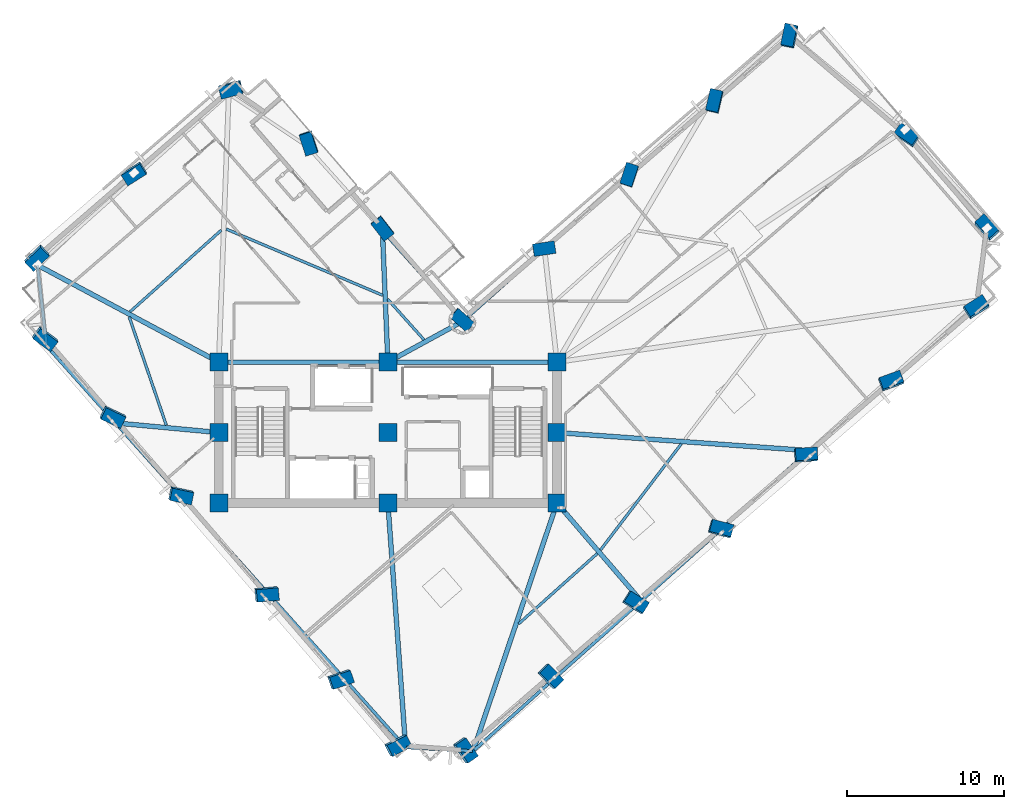
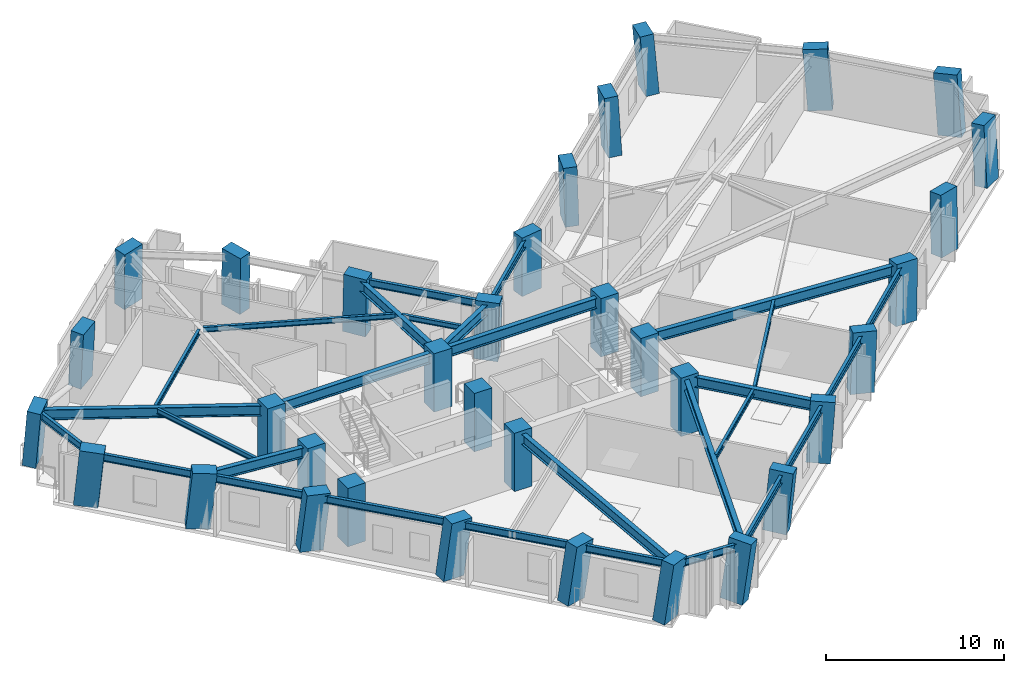
# One storey, part 1 of 14: 34 columns, 29 beams.
"""IFC4 building model written with IfcOpenShell, lengths in metres."""

from ifc_helpers import new_model, si_unit, direction, frame, origin, origin_2d, place, context, subcontext, project, spatial, rectangle, i_section, extrude, material, material_profile, profile_set, type_object, element, save


model = new_model("IFC4")

# Units and contexts
model_context = context("Model", 3, precision=1e-05, world=origin(), true_north=direction((0.0, 1.0)))
body_context = subcontext(model_context, "Body", "Model", "MODEL_VIEW")
ifc_project = project(units=[si_unit("LENGTHUNIT", "METRE"), si_unit("AREAUNIT", "SQUARE_METRE"), si_unit("VOLUMEUNIT", "CUBIC_METRE"), si_unit("PLANEANGLEUNIT", "RADIAN"), si_unit("MASSUNIT", "GRAM", prefix="KILO")], contexts=[model_context])

# Site, building, storey
site_placement = place(None, origin())
site = spatial("IfcSite", under=ifc_project, at=site_placement, CompositionType="ELEMENT")
building_placement = place(site_placement, origin())
building = spatial("IfcBuilding", under=site, at=building_placement, Name="Gaonmaruhae Medical Tower", CompositionType="ELEMENT")
storey_placement = place(building_placement, frame((0.0, 0.0, 197.800048828125)))
storey = spatial("IfcBuildingStorey", under=building, at=storey_placement, Name="L47", CompositionType="ELEMENT", Elevation=197.800048828125)

# Columns
ifc_material_1 = material(Name="Concrete C50/60", Category="concrete")
ifc_material_profile_1 = material_profile(ifc_material_1, rectangle(XDim=1.14990234375, YDim=1.14990234375, at=origin_2d()), Name="RC-1150x1150")
ifc_profile_set_1 = profile_set([ifc_material_profile_1], Name="Concrete C50/60")
column_type_1 = type_object("IfcColumnType", Name="CC-04 Zone 3 Core Column (RC-1150x1150)", PredefinedType="COLUMN", material=ifc_profile_set_1)
for number, where, z_axis, x_axis, name in (
    (1, (14.0, 7.800048828125, 0.0), (0.0, 0.0, 1.0), (1.0, 0.0, 0.0), "L47 Plumb Core Column CC11"),
    (2, (14.0, 12.300048828125, 0.0), (0.0, 0.0, 1.0), (1.0, 0.0, 0.0), "L47 Plumb Core Column CC12"),
    (3, (14.0, 16.800048828125, 0.0), (0.0, 0.0, 1.0), (1.0, 0.0, 0.0), "L47 Plumb Core Column CC13"),
    (4, (24.800048828125, 7.800048828125, 0.0), (0.0, 0.0, 1.0), (1.0, 0.0, 0.0), "L47 Plumb Core Column CC21"),
    (5, (24.800048828125, 12.300048828125, 0.0), (0.0, 0.0, 1.0), (1.0, 0.0, 0.0), "L47 Plumb Core Column CC22"),
    (6, (24.800048828125, 16.800048828125, 0.0), (0.0, 0.0, 1.0), (1.0, 0.0, 0.0), "L47 Plumb Core Column CC23"),
    (7, (35.60009765625, 7.800048828125, 0.0), (0.0, 0.0, 1.0), (1.0, 0.0, 0.0), "L47 Plumb Core Column CC31"),
    (8, (35.60009765625, 12.300048828125, 0.0), (0.0, 0.0, 1.0), (1.0, 0.0, 0.0), "L47 Plumb Core Column CC32"),
    (9, (35.60009765625, 16.800048828125, 0.0), (0.0, 0.0, 1.0), (1.0, 0.0, 0.0), "L47 Plumb Core Column CC33"),
):
    element("IfcColumn", number, at=place(storey_placement, frame(where, z_axis=z_axis, x_axis=x_axis)), inside=storey, type_object=column_type_1, Name=name, PredefinedType="COLUMN", context=body_context, shape_type="SweptSolid", body=[
        extrude(rectangle(XDim=1.14990234375, YDim=1.14990234375, at=origin_2d()), origin(), (0.0, 0.0, 1.0), 4.0),
    ])
ifc_material_2 = material(Name="Concrete C60/75", Category="concrete")
ifc_material_profile_2 = material_profile(ifc_material_2, rectangle(XDim=1.39990234375, YDim=0.800048828125, at=origin_2d()), Name="RC-1400x800")
ifc_profile_set_2 = profile_set([ifc_material_profile_2], Name="Concrete C60/75")
column_type_2 = type_object("IfcColumnType", Name="TC-02 Mid Raking Tube Pier Column (RC-1400x800)", PredefinedType="COLUMN", material=ifc_profile_set_2)
column_1_placement = place(storey_placement, frame((29.69677734375, -7.989990234375, 0.001708984375), z_axis=(0.134792886686, -0.014950086669, 0.990761006806), x_axis=(-0.560703526993, 0.823251350457, 0.088706080895)))
element("IfcColumn", 10, at=column_1_placement, inside=storey, type_object=column_type_2, Name="L47 Perimeter Tube Column S01", PredefinedType="COLUMN", context=body_context, shape_type="SweptSolid", body=[
    extrude(rectangle(XDim=1.39990234375, YDim=0.800048828125, at=origin_2d()), origin(), (0.0, 0.0, 1.0), 4.03369140625),
])
column_2_placement = place(storey_placement, frame((35.14306640625, -3.280517578125, 0.001708984375), z_axis=(0.115535389313, 0.007281642184, 0.993276674197), x_axis=(-0.695976274156, 0.714061336763, 0.075719437081)))
element("IfcColumn", 11, at=column_2_placement, inside=storey, type_object=column_type_2, Name="L47 Perimeter Tube Column S02", PredefinedType="COLUMN", context=body_context, shape_type="SweptSolid", body=[
    extrude(rectangle(XDim=1.39990234375, YDim=0.800048828125, at=origin_2d()), origin(), (0.0, 0.0, 1.0), 4.0234375),
])
column_3_placement = place(storey_placement, frame((40.589111328125, 1.4287109375, 0.001708984375), z_axis=(0.096155551008, 0.029661130779, 0.99492428221), x_axis=(-0.84481499357, 0.530994954895, 0.065817813051)))
element("IfcColumn", 12, at=column_3_placement, inside=storey, type_object=column_type_2, Name="L47 Perimeter Tube Column S03", PredefinedType="COLUMN", context=body_context, shape_type="SweptSolid", body=[
    extrude(rectangle(XDim=1.39990234375, YDim=0.800048828125, at=origin_2d()), origin(), (0.0, 0.0, 1.0), 4.016845703125),
])
column_4_placement = place(storey_placement, frame((46.035400390625, 6.13818359375, 0.001708984375), z_axis=(0.076583639666, 0.051947917613, 0.995708973542), x_axis=(-0.963601634945, 0.260400031482, 0.060528610881)))
element("IfcColumn", 13, at=column_4_placement, inside=storey, type_object=column_type_2, Name="L47 Perimeter Tube Column S04", PredefinedType="COLUMN", context=body_context, shape_type="SweptSolid", body=[
    extrude(rectangle(XDim=1.39990234375, YDim=0.800048828125, at=origin_2d()), origin(), (0.0, 0.0, 1.0), 4.013671875),
])
column_5_placement = place(storey_placement, frame((51.481689453125, 10.84765625, 0.001708984375), z_axis=(0.056990983007, 0.074264664089, 0.995608752233), x_axis=(-0.996545411149, -0.056108371123, 0.061229847357)))
element("IfcColumn", 14, at=column_5_placement, inside=storey, type_object=column_type_2, Name="L47 Perimeter Tube Column S05", PredefinedType="COLUMN", context=body_context, shape_type="SweptSolid", body=[
    extrude(rectangle(XDim=1.39990234375, YDim=0.800048828125, at=origin_2d()), origin(), (0.0, 0.0, 1.0), 4.013916015625),
])
column_6_placement = place(storey_placement, frame((56.927978515625, 15.55712890625, 0.001708984375), z_axis=(0.037308659292, 0.096492102534, 0.994634273535), x_axis=(-0.940140058416, -0.334002750608, 0.067667075804)))
element("IfcColumn", 15, at=column_6_placement, inside=storey, type_object=column_type_2, Name="L47 Perimeter Tube Column S06", PredefinedType="COLUMN", context=body_context, shape_type="SweptSolid", body=[
    extrude(rectangle(XDim=1.39990234375, YDim=0.800048828125, at=origin_2d()), origin(), (0.0, 0.0, 1.0), 4.017822265625),
])
column_7_placement = place(storey_placement, frame((62.3740234375, 20.2666015625, 0.001708984375), z_axis=(0.017710064667, 0.118511871091, 0.99279468674), x_axis=(-0.84409135877, -0.530440201598, 0.078377104935)))
element("IfcColumn", 16, at=column_7_placement, inside=storey, type_object=column_type_2, Name="L47 Perimeter Tube Column S07", PredefinedType="COLUMN", context=body_context, shape_type="SweptSolid", body=[
    extrude(rectangle(XDim=1.39990234375, YDim=0.800048828125, at=origin_2d()), origin(), (0.0, 0.0, 1.0), 4.025390625),
])
column_8_placement = place(storey_placement, frame((63.0625, 25.3564453125, 0.001708984375), z_axis=(-0.003335213178, 0.121219838947, 0.992620081904), x_axis=(0.67448420136, -0.73256874744, 0.091728361977)))
element("IfcColumn", 17, at=column_8_placement, inside=storey, type_object=column_type_2, Name="L47 Perimeter Tube Column E01", PredefinedType="COLUMN", context=body_context, shape_type="SweptSolid", body=[
    extrude(rectangle(XDim=1.39990234375, YDim=0.800048828125, at=origin_2d()), origin(), (0.0, 0.0, 1.0), 4.026123046875),
])
column_9_placement = place(storey_placement, frame((57.96044921875, 31.256591796875, 0.001708984375), z_axis=(-0.027403036111, 0.100194249551, 0.994590461431), x_axis=(0.829382951697, -0.553127674355, 0.078572866163)))
element("IfcColumn", 18, at=column_9_placement, inside=storey, type_object=column_type_2, Name="L47 Perimeter Tube Column E02", PredefinedType="COLUMN", context=body_context, shape_type="SweptSolid", body=[
    extrude(rectangle(XDim=1.39990234375, YDim=0.800048828125, at=origin_2d()), origin(), (0.0, 0.0, 1.0), 4.01806640625),
])
column_10_placement = place(storey_placement, frame((50.481201171875, 37.61279296875, 0.001708984375), z_axis=(-0.053432380102, 0.069255180588, 0.996167004432), x_axis=(-0.200878399634, -0.977944004107, 0.057213576993)))
element("IfcColumn", 19, at=column_10_placement, inside=storey, type_object=column_type_2, Name="L47 Perimeter Tube Column E03", PredefinedType="COLUMN", context=body_context, shape_type="SweptSolid", body=[
    extrude(rectangle(XDim=1.39990234375, YDim=0.800048828125, at=origin_2d()), origin(), (0.0, 0.0, 1.0), 4.01171875),
])
column_11_placement = place(storey_placement, frame((45.677978515625, 33.459228515625, 0.001708984375), z_axis=(-0.036219429915, 0.049695009059, 0.998107488686), x_axis=(-0.226770917877, -0.973117242433, 0.040221676789)))
element("IfcColumn", 20, at=column_11_placement, inside=storey, type_object=column_type_2, Name="L47 Perimeter Tube Column EN01", PredefinedType="COLUMN", context=body_context, shape_type="SweptSolid", body=[
    extrude(rectangle(XDim=1.39990234375, YDim=0.800048828125, at=origin_2d()), origin(), (0.0, 0.0, 1.0), 4.00390625),
])
column_12_placement = place(storey_placement, frame((40.231689453125, 28.75, 0.001708984375), z_axis=(-0.016547249216, 0.027293802213, 0.999490488651), x_axis=(-0.307912617541, -0.951185560654, 0.02087700081)))
element("IfcColumn", 21, at=column_12_placement, inside=storey, type_object=column_type_2, Name="L47 Perimeter Tube Column EN02", PredefinedType="COLUMN", context=body_context, shape_type="SweptSolid", body=[
    extrude(rectangle(XDim=1.39990234375, YDim=0.800048828125, at=origin_2d()), origin(), (0.0, 0.0, 1.0), 3.998291015625),
])
column_13_placement = place(storey_placement, frame((34.78564453125, 24.04052734375, 0.001708984375), z_axis=(0.003115592161, 0.004948293432, 0.999982903593), x_axis=(-0.988608351302, -0.150462285729, 0.003824697358)))
element("IfcColumn", 22, at=column_13_placement, inside=storey, type_object=column_type_2, Name="L47 Perimeter Tube Column EN03", PredefinedType="COLUMN", context=body_context, shape_type="SweptSolid", body=[
    extrude(rectangle(XDim=1.39990234375, YDim=0.800048828125, at=origin_2d()), origin(), (0.0, 0.0, 1.0), 3.996337890625),
])
column_14_placement = place(storey_placement, frame((29.528564453125, 19.49462890625, 0.001708984375), z_axis=(0.022106472195, -0.016732523153, 0.999615589392), x_axis=(-0.751277418033, 0.659407001277, 0.027652266093)))
element("IfcColumn", 23, at=column_14_placement, inside=storey, type_object=column_type_2, Name="L47 Perimeter Tube Column KN01", PredefinedType="COLUMN", context=body_context, shape_type="SweptSolid", body=[
    extrude(rectangle(XDim=1.39990234375, YDim=0.800048828125, at=origin_2d()), origin(), (0.0, 0.0, 1.0), 3.997802734375),
])
column_15_placement = place(storey_placement, frame((24.459228515625, 25.35693359375, 0.001708984375), z_axis=(-0.001953505753, -0.03791022102, 0.999279239731), x_axis=(-0.614315591928, 0.788537788742, 0.028714268915)))
element("IfcColumn", 24, at=column_15_placement, inside=storey, type_object=column_type_2, Name="L47 Perimeter Tube Column NE01", PredefinedType="COLUMN", context=body_context, shape_type="SweptSolid", body=[
    extrude(rectangle(XDim=1.39990234375, YDim=0.800048828125, at=origin_2d()), origin(), (0.0, 0.0, 1.0), 3.999267578125),
])
column_16_placement = place(storey_placement, frame((19.749755859375, 30.802978515625, 0.001708984375), z_axis=(-0.024327793483, -0.057496514422, 0.998049251938), x_axis=(-0.30819596819, 0.95015002601, 0.047224710319)))
element("IfcColumn", 25, at=column_16_placement, inside=storey, type_object=column_type_2, Name="L47 Perimeter Tube Column NE02", PredefinedType="COLUMN", context=body_context, shape_type="SweptSolid", body=[
    extrude(rectangle(XDim=1.39990234375, YDim=0.800048828125, at=origin_2d()), origin(), (0.0, 0.0, 1.0), 4.004150390625),
])
column_17_placement = place(storey_placement, frame((14.788818359375, 34.2470703125, 0.001708984375), z_axis=(-0.038341673554, -0.078022262692, 0.996214054605), x_axis=(0.96626592112, 0.251190925626, 0.056862013376)))
element("IfcColumn", 26, at=column_17_placement, inside=storey, type_object=column_type_2, Name="L47 Perimeter Tube Column N01", PredefinedType="COLUMN", context=body_context, shape_type="SweptSolid", body=[
    extrude(rectangle(XDim=1.39990234375, YDim=0.800048828125, at=origin_2d()), origin(), (0.0, 0.0, 1.0), 4.011474609375),
])
column_18_placement = place(storey_placement, frame((8.586181640625, 28.883544921875, 0.001708984375), z_axis=(-0.015978962471, -0.103286069202, 0.994523333395), x_axis=(0.846984642611, 0.527203728551, 0.068361127714)))
element("IfcColumn", 27, at=column_18_placement, inside=storey, type_object=column_type_2, Name="L47 Perimeter Tube Column N02", PredefinedType="COLUMN", context=body_context, shape_type="SweptSolid", body=[
    extrude(rectangle(XDim=1.39990234375, YDim=0.800048828125, at=origin_2d()), origin(), (0.0, 0.0, 1.0), 4.018310546875),
])
column_19_placement = place(storey_placement, frame((2.383544921875, 23.52001953125, 0.001708984375), z_axis=(0.00630082163, -0.128318655892, 0.991712973696), x_axis=(0.723701485394, 0.684977954357, 0.084031911103)))
element("IfcColumn", 28, at=column_19_placement, inside=storey, type_object=column_type_2, Name="L47 Perimeter Tube Column N03", PredefinedType="COLUMN", context=body_context, shape_type="SweptSolid", body=[
    extrude(rectangle(XDim=1.39990234375, YDim=0.800048828125, at=origin_2d()), origin(), (0.0, 0.0, 1.0), 4.02978515625),
])
column_20_placement = place(storey_placement, frame((2.894287109375, 18.343017578125, 0.001708984375), z_axis=(0.02756423889, -0.126007949211, 0.991646211847), x_axis=(-0.79926691183, 0.593003055871, 0.097569356778)))
element("IfcColumn", 29, at=column_20_placement, inside=storey, type_object=column_type_2, Name="L47 Perimeter Tube Column W01", PredefinedType="COLUMN", context=body_context, shape_type="SweptSolid", body=[
    extrude(rectangle(XDim=1.39990234375, YDim=0.800048828125, at=origin_2d()), origin(), (0.0, 0.0, 1.0), 4.030029296875),
])
column_21_placement = place(storey_placement, frame((7.211181640625, 13.3505859375, 0.001708984375), z_axis=(0.047983255613, -0.108220136553, 0.992968282084), x_axis=(-0.902387124564, 0.421519843898, 0.08954606983)))
element("IfcColumn", 30, at=column_21_placement, inside=storey, type_object=column_type_2, Name="L47 Perimeter Tube Column W02", PredefinedType="COLUMN", context=body_context, shape_type="SweptSolid", body=[
    extrude(rectangle(XDim=1.39990234375, YDim=0.800048828125, at=origin_2d()), origin(), (0.0, 0.0, 1.0), 4.024658203125),
])
column_22_placement = place(storey_placement, frame((11.560791015625, 8.3203125, 0.001708984375), z_axis=(0.06864872367, -0.090196289455, 0.993555223481), x_axis=(-0.975646001473, 0.201899790332, 0.085740040082)))
element("IfcColumn", 31, at=column_22_placement, inside=storey, type_object=column_type_2, Name="L47 Perimeter Tube Column W03", PredefinedType="COLUMN", context=body_context, shape_type="SweptSolid", body=[
    extrude(rectangle(XDim=1.39990234375, YDim=0.800048828125, at=origin_2d()), origin(), (0.0, 0.0, 1.0), 4.022216796875),
])
column_23_placement = place(storey_placement, frame((17.0224609375, 2.004150390625, 0.001708984375), z_axis=(0.094415487079, -0.067474306961, 0.993243642668), x_axis=(-0.991569285891, -0.095314169261, 0.087781321561)))
element("IfcColumn", 32, at=column_23_placement, inside=storey, type_object=column_type_2, Name="L47 Perimeter Tube Column W04", PredefinedType="COLUMN", context=body_context, shape_type="SweptSolid", body=[
    extrude(rectangle(XDim=1.39990234375, YDim=0.800048828125, at=origin_2d()), origin(), (0.0, 0.0, 1.0), 4.0234375),
])
column_24_placement = place(storey_placement, frame((21.73193359375, -3.44189453125, 0.001708984375), z_axis=(0.116541989372, -0.047877364329, 0.992031109743), x_axis=(-0.942657454204, -0.319865612719, 0.095304322218)))
element("IfcColumn", 33, at=column_24_placement, inside=storey, type_object=column_type_2, Name="L47 Perimeter Tube Column W05", PredefinedType="COLUMN", context=body_context, shape_type="SweptSolid", body=[
    extrude(rectangle(XDim=1.39990234375, YDim=0.800048828125, at=origin_2d()), origin(), (0.0, 0.0, 1.0), 4.0283203125),
])
column_25_placement = place(storey_placement, frame((25.394775390625, -7.677978515625, 0.001708984375), z_axis=(0.133607601345, -0.03255475069, 0.990499468486), x_axis=(-0.882783529734, -0.458118862666, 0.104020898377)))
element("IfcColumn", 34, at=column_25_placement, inside=storey, type_object=column_type_2, Name="L47 Perimeter Tube Column W06", PredefinedType="COLUMN", context=body_context, shape_type="SweptSolid", body=[
    extrude(rectangle(XDim=1.39990234375, YDim=0.800048828125, at=origin_2d()), origin(), (0.0, 0.0, 1.0), 4.03466796875),
])

# Beams
ifc_material_3 = material(Name="Steel SM355", Category="steel")
ifc_material_profile_3 = material_profile(ifc_material_3, i_section(OverallWidth=0.175048828125, OverallDepth=0.35009765625, WebThickness=0.007080078125, FlangeThickness=0.010986328125, FilletRadius=0.012939453125, at=origin_2d()), Name="H-350x175x7x11")
ifc_profile_set_3 = profile_set([ifc_material_profile_3], Name="Steel SM355")
beam_type_1 = type_object("IfcBeamType", Name="FJ-02 Upper Zone Ward Floor Joist (H-350x175x7x11)", PredefinedType="JOIST", material=ifc_profile_set_3)
beam_1_placement = place(storey_placement, frame((33.15185546875, 0.081787109375, 3.60498046875), z_axis=(0.745471704791, 0.666537273793, 0.0), x_axis=(-0.666537273793, 0.745471704791, 0.0)))
element("IfcBeam", 35, at=beam_1_placement, inside=storey, type_object=beam_type_1, Name="L47 Secondary Floor Joist FJ01", PredefinedType="JOIST", context=body_context, shape_type="SweptSolid", body=[
    extrude(i_section(OverallWidth=0.175048828125, OverallDepth=0.35009765625, WebThickness=0.007080078125, FlangeThickness=0.010986328125, FilletRadius=0.012939453125, at=origin_2d()), origin(), (0.0, 0.0, 1.0), 6.7333984375),
])
beam_2_placement = place(storey_placement, frame((38.38427734375, 4.80078125, 3.60498046875), z_axis=(0.605809957718, 0.795609386024, 0.0), x_axis=(-0.795609386024, 0.605809957718, 0.0)))
element("IfcBeam", 36, at=beam_2_placement, inside=storey, type_object=beam_type_1, Name="L47 Secondary Floor Joist FJ02", PredefinedType="JOIST", context=body_context, shape_type="SweptSolid", body=[
    extrude(i_section(OverallWidth=0.175048828125, OverallDepth=0.35009765625, WebThickness=0.007080078125, FlangeThickness=0.010986328125, FilletRadius=0.012939453125, at=origin_2d()), origin(), (0.0, 0.0, 1.0), 8.515380859375),
])
beam_3_placement = place(storey_placement, frame((27.101806640625, 18.233154296875, 3.60498046875), z_axis=(-0.666529726073, 0.745478453251, 0.0), x_axis=(-0.745478453251, -0.666529726073, 0.0)))
element("IfcBeam", 37, at=beam_3_placement, inside=storey, type_object=beam_type_1, Name="L47 Secondary Floor Joist FJ08", PredefinedType="JOIST", context=body_context, shape_type="SweptSolid", body=[
    extrude(i_section(OverallWidth=0.175048828125, OverallDepth=0.35009765625, WebThickness=0.007080078125, FlangeThickness=0.010986328125, FilletRadius=0.012939453125, at=origin_2d()), origin(), (0.0, 0.0, 1.0), 3.47265625),
])
beam_4_placement = place(storey_placement, frame((24.46728515625, 21.069580078125, 3.60498046875), z_axis=(-0.920864787944, 0.38988208772, 0.0), x_axis=(-0.38988208772, -0.920864787944, 0.0)))
element("IfcBeam", 38, at=beam_4_placement, inside=storey, type_object=beam_type_1, Name="L47 Secondary Floor Joist FJ09", PredefinedType="JOIST", context=body_context, shape_type="SweptSolid", body=[
    extrude(i_section(OverallWidth=0.175048828125, OverallDepth=0.35009765625, WebThickness=0.007080078125, FlangeThickness=0.010986328125, FilletRadius=0.012939453125, at=origin_2d()), origin(), (0.0, 0.0, 1.0), 10.855712890625),
])
beam_5_placement = place(storey_placement, frame((14.15771484375, 25.22412109375, 3.60498046875), z_axis=(-0.745466629962, -0.666542949564, 0.0), x_axis=(0.666542949564, -0.745466629962, 0.0)))
element("IfcBeam", 39, at=beam_5_placement, inside=storey, type_object=beam_type_1, Name="L47 Secondary Floor Joist FJ10", PredefinedType="JOIST", context=body_context, shape_type="SweptSolid", body=[
    extrude(i_section(OverallWidth=0.175048828125, OverallDepth=0.35009765625, WebThickness=0.007080078125, FlangeThickness=0.010986328125, FilletRadius=0.012939453125, at=origin_2d()), origin(), (0.0, 0.0, 1.0), 7.820068359375),
])
beam_6_placement = place(storey_placement, frame((8.27783203125, 19.6875, 3.60498046875), z_axis=(0.323959001859, -0.946071120537, 0.0), x_axis=(0.946071120537, 0.323959001859, 0.0)))
element("IfcBeam", 40, at=beam_6_placement, inside=storey, type_object=beam_type_1, Name="L47 Secondary Floor Joist FJ11", PredefinedType="JOIST", context=body_context, shape_type="SweptSolid", body=[
    extrude(i_section(OverallWidth=0.175048828125, OverallDepth=0.35009765625, WebThickness=0.007080078125, FlangeThickness=0.010986328125, FilletRadius=0.012939453125, at=origin_2d()), origin(), (0.0, 0.0, 1.0), 7.31298828125),
])
ifc_material_4 = material(Name="Steel SM420", Category="steel")
ifc_material_profile_4 = material_profile(ifc_material_4, i_section(OverallWidth=0.300048828125, OverallDepth=0.699951171875, WebThickness=0.012939453125, FlangeThickness=0.02392578125, FilletRadius=0.01806640625, at=origin_2d()), Name="H-700x300x13x24")
ifc_profile_set_4 = profile_set([ifc_material_profile_4], Name="Steel SM420")
beam_type_2 = type_object("IfcBeamType", Name="PG-03 Zone 3 Radial Floor Girder (H-700x300x13x24)", PredefinedType="BEAM", material=ifc_profile_set_4)
for number, where, z_axis, x_axis, name in (
    (41, (14.050048828125, 16.800048828125, 3.429931640625), (1.0, 0.0, 0.0), (0.0, 1.0, 0.0), "L47 Beam BM-L47-CG-N1"),
    (42, (24.85009765625, 16.800048828125, 3.429931640625), (1.0, 0.0, 0.0), (0.0, 1.0, 0.0), "L47 Beam BM-L47-CG-N2"),
):
    element("IfcBeam", number, at=place(storey_placement, frame(where, z_axis=z_axis, x_axis=x_axis)), inside=storey, type_object=beam_type_2, Name=name, PredefinedType="BEAM", context=body_context, shape_type="SweptSolid", body=[
        extrude(i_section(OverallWidth=0.300048828125, OverallDepth=0.699951171875, WebThickness=0.012939453125, FlangeThickness=0.02392578125, FilletRadius=0.01806640625, at=origin_2d()), origin(), (0.0, 0.0, 1.0), 10.699951171875),
    ])
beam_7_placement = place(storey_placement, frame((35.583984375, 7.752685546875, 3.429931640625), z_axis=(-0.320298305524, -0.947316734508, 0.0), x_axis=(0.947316734508, -0.320298305524, 0.0)))
element("IfcBeam", 43, at=beam_7_placement, inside=storey, type_object=beam_type_2, Name="L47 Radial Primary Girder S01", PredefinedType="BEAM", context=body_context, shape_type="SweptSolid", body=[
    extrude(i_section(OverallWidth=0.300048828125, OverallDepth=0.699951171875, WebThickness=0.012939453125, FlangeThickness=0.02392578125, FilletRadius=0.01806640625, at=origin_2d()), origin(), (0.0, 0.0, 1.0), 16.6318359375),
])
beam_8_placement = place(storey_placement, frame((35.632568359375, 7.76220703125, 3.429931640625), z_axis=(0.651933472869, -0.758276167997, 0.0), x_axis=(0.758276167997, 0.651933472869, 0.0)))
element("IfcBeam", 44, at=beam_8_placement, inside=storey, type_object=beam_type_2, Name="L47 Radial Primary Girder S03", PredefinedType="BEAM", context=body_context, shape_type="SweptSolid", body=[
    extrude(i_section(OverallWidth=0.300048828125, OverallDepth=0.699951171875, WebThickness=0.012939453125, FlangeThickness=0.02392578125, FilletRadius=0.01806640625, at=origin_2d()), origin(), (0.0, 0.0, 1.0), 8.1455078125),
])
beam_9_placement = place(storey_placement, frame((35.64990234375, 12.29638671875, 3.429931640625), z_axis=(0.997443854698, -0.071454578063, 0.0), x_axis=(0.071454578063, 0.997443854698, 0.0)))
element("IfcBeam", 45, at=beam_9_placement, inside=storey, type_object=beam_type_2, Name="L47 Radial Primary Girder S05", PredefinedType="BEAM", context=body_context, shape_type="SweptSolid", body=[
    extrude(i_section(OverallWidth=0.300048828125, OverallDepth=0.699951171875, WebThickness=0.012939453125, FlangeThickness=0.02392578125, FilletRadius=0.01806640625, at=origin_2d()), origin(), (0.0, 0.0, 1.0), 16.0517578125),
])
beam_10_placement = place(storey_placement, frame((24.843994140625, 16.823974609375, 3.429931640625), z_axis=(0.877866127093, 0.478906110738, 0.0), x_axis=(-0.478906110738, 0.877866127093, 0.0)))
element("IfcBeam", 46, at=beam_10_placement, inside=storey, type_object=beam_type_2, Name="L47 Radial Primary Girder KN01", PredefinedType="BEAM", context=body_context, shape_type="SweptSolid", body=[
    extrude(i_section(OverallWidth=0.300048828125, OverallDepth=0.699951171875, WebThickness=0.012939453125, FlangeThickness=0.02392578125, FilletRadius=0.01806640625, at=origin_2d()), origin(), (0.0, 0.0, 1.0), 5.386962890625),
])
beam_11_placement = place(storey_placement, frame((24.7978515625, 16.849853515625, 3.429931640625), z_axis=(-0.041441190899, 0.999140944861, 0.0), x_axis=(-0.999140944861, -0.041441190899, 0.0)))
element("IfcBeam", 47, at=beam_11_placement, inside=storey, type_object=beam_type_2, Name="L47 Radial Primary Girder NE01", PredefinedType="BEAM", context=body_context, shape_type="SweptSolid", body=[
    extrude(i_section(OverallWidth=0.300048828125, OverallDepth=0.699951171875, WebThickness=0.012939453125, FlangeThickness=0.02392578125, FilletRadius=0.01806640625, at=origin_2d()), origin(), (0.0, 0.0, 1.0), 8.3125),
])
beam_12_placement = place(storey_placement, frame((13.955810546875, 16.823486328125, 3.429931640625), z_axis=(-0.881683806862, 0.471840719648, 0.0), x_axis=(-0.471840719648, -0.881683806862, 0.0)))
element("IfcBeam", 48, at=beam_12_placement, inside=storey, type_object=beam_type_2, Name="L47 Radial Primary Girder N03", PredefinedType="BEAM", context=body_context, shape_type="SweptSolid", body=[
    extrude(i_section(OverallWidth=0.300048828125, OverallDepth=0.699951171875, WebThickness=0.012939453125, FlangeThickness=0.02392578125, FilletRadius=0.01806640625, at=origin_2d()), origin(), (0.0, 0.0, 1.0), 13.04638671875),
])
beam_13_placement = place(storey_placement, frame((13.9501953125, 12.3046875, 3.429931640625), z_axis=(-0.995684183769, 0.092806283149, 0.0), x_axis=(-0.092806283149, -0.995684183769, 0.0)))
element("IfcBeam", 49, at=beam_13_placement, inside=storey, type_object=beam_type_2, Name="L47 Radial Primary Girder W02", PredefinedType="BEAM", context=body_context, shape_type="SweptSolid", body=[
    extrude(i_section(OverallWidth=0.300048828125, OverallDepth=0.699951171875, WebThickness=0.012939453125, FlangeThickness=0.02392578125, FilletRadius=0.01806640625, at=origin_2d()), origin(), (0.0, 0.0, 1.0), 6.52392578125),
])
beam_14_placement = place(storey_placement, frame((24.8037109375, 7.750244140625, 3.429931640625), z_axis=(0.072454202586, -0.99737174039, 0.0), x_axis=(0.99737174039, 0.072454202586, 0.0)))
element("IfcBeam", 50, at=beam_14_placement, inside=storey, type_object=beam_type_2, Name="L47 Radial Primary Girder W06", PredefinedType="BEAM", context=body_context, shape_type="SweptSolid", body=[
    extrude(i_section(OverallWidth=0.300048828125, OverallDepth=0.699951171875, WebThickness=0.012939453125, FlangeThickness=0.02392578125, FilletRadius=0.01806640625, at=origin_2d()), origin(), (0.0, 0.0, 1.0), 15.550537109375),
])
ifc_material_profile_5 = material_profile(ifc_material_3, i_section(OverallWidth=0.199951171875, OverallDepth=0.5, WebThickness=0.010009765625, FlangeThickness=0.01611328125, FilletRadius=0.012939453125, at=origin_2d()), Name="H-500x200x10x16")
ifc_profile_set_5 = profile_set([ifc_material_profile_5], Name="Steel SM355")
beam_type_3 = type_object("IfcBeamType", Name="SP-02 Upper Perimeter Spandrel Beam (H-500x200x10x16)", PredefinedType="SPANDREL", material=ifc_profile_set_5)
for number, where, z_axis, x_axis, name in (
    (51, (30.2705078125, -8.023681640625, 3.530029296875), (0.745470845456, 0.666538234894, 0.0), (-0.666538234894, 0.745470845456, 0.0), "L47 Perimeter Spandrel Beam S01-S02"),
    (52, (35.637939453125, -3.224609375, 3.530029296875), (0.745470845456, 0.666538234894, 0.0), (-0.666538234894, 0.745470845456, 0.0), "L47 Perimeter Spandrel Beam S02-S03"),
    (53, (41.00537109375, 1.574462890625, 3.530029296875), (0.745470845456, 0.666538234894, 0.0), (-0.666538234894, 0.745470845456, 0.0), "L47 Perimeter Spandrel Beam S03-S04"),
):
    element("IfcBeam", number, at=place(storey_placement, frame(where, z_axis=z_axis, x_axis=x_axis)), inside=storey, type_object=beam_type_3, Name=name, PredefinedType="SPANDREL", context=body_context, shape_type="SweptSolid", body=[
        extrude(i_section(OverallWidth=0.199951171875, OverallDepth=0.5, WebThickness=0.010009765625, FlangeThickness=0.01611328125, FilletRadius=0.012939453125, at=origin_2d()), origin(), (0.0, 0.0, 1.0), 7.1201171875),
    ])
beam_15_placement = place(storey_placement, frame((46.372802734375, 6.37353515625, 3.530029296875), z_axis=(0.745487883141, 0.666519179086, 0.0), x_axis=(-0.666519179086, 0.745487883141, 0.0)))
element("IfcBeam", 54, at=beam_15_placement, inside=storey, type_object=beam_type_3, Name="L47 Perimeter Spandrel Beam S04-S05", PredefinedType="SPANDREL", context=body_context, shape_type="SweptSolid", body=[
    extrude(i_section(OverallWidth=0.199951171875, OverallDepth=0.5, WebThickness=0.010009765625, FlangeThickness=0.01611328125, FilletRadius=0.012939453125, at=origin_2d()), origin(), (0.0, 0.0, 1.0), 7.119873046875),
])
beam_16_placement = place(storey_placement, frame((34.768310546875, 24.033447265625, 3.530029296875), z_axis=(-0.74550242851, -0.666502910035, 0.0), x_axis=(0.666502910035, -0.74550242851, 0.0)))
element("IfcBeam", 55, at=beam_16_placement, inside=storey, type_object=beam_type_3, Name="L47 Perimeter Spandrel Beam EN03-KN01", PredefinedType="SPANDREL", context=body_context, shape_type="SweptSolid", body=[
    extrude(i_section(OverallWidth=0.199951171875, OverallDepth=0.5, WebThickness=0.010009765625, FlangeThickness=0.01611328125, FilletRadius=0.012939453125, at=origin_2d()), origin(), (0.0, 0.0, 1.0), 6.869873046875),
])
beam_17_placement = place(storey_placement, frame((29.59033203125, 19.45751953125, 3.530029296875), z_axis=(-0.666518480975, 0.745488507302, 0.0), x_axis=(-0.745488507302, -0.666518480975, 0.0)))
element("IfcBeam", 56, at=beam_17_placement, inside=storey, type_object=beam_type_3, Name="L47 Perimeter Spandrel Beam KN01-NE01", PredefinedType="SPANDREL", context=body_context, shape_type="SweptSolid", body=[
    extrude(i_section(OverallWidth=0.199951171875, OverallDepth=0.5, WebThickness=0.010009765625, FlangeThickness=0.01611328125, FilletRadius=0.012939453125, at=origin_2d()), origin(), (0.0, 0.0, 1.0), 7.670166015625),
])
beam_18_placement = place(storey_placement, frame((2.41357421875, 22.963134765625, 3.530029296875), z_axis=(0.114631344524, -0.993408100859, 0.0), x_axis=(0.993408100859, 0.114631344524, 0.0)))
element("IfcBeam", 57, at=beam_18_placement, inside=storey, type_object=beam_type_3, Name="L47 Perimeter Spandrel Beam N03-W01", PredefinedType="SPANDREL", context=body_context, shape_type="SweptSolid", body=[
    extrude(i_section(OverallWidth=0.199951171875, OverallDepth=0.5, WebThickness=0.010009765625, FlangeThickness=0.01611328125, FilletRadius=0.012939453125, at=origin_2d()), origin(), (0.0, 0.0, 1.0), 5.1220703125),
])
beam_19_placement = place(storey_placement, frame((3.031982421875, 17.80517578125, 3.530029296875), z_axis=(0.666538703878, -0.745470426129, 0.0), x_axis=(0.745470426129, 0.666538703878, 0.0)))
element("IfcBeam", 58, at=beam_19_placement, inside=storey, type_object=beam_type_3, Name="L47 Perimeter Spandrel Beam W01-W02", PredefinedType="SPANDREL", context=body_context, shape_type="SweptSolid", body=[
    extrude(i_section(OverallWidth=0.199951171875, OverallDepth=0.5, WebThickness=0.010009765625, FlangeThickness=0.01611328125, FilletRadius=0.012939453125, at=origin_2d()), origin(), (0.0, 0.0, 1.0), 6.520263671875),
])
beam_20_placement = place(storey_placement, frame((7.43115234375, 12.885009765625, 3.530029296875), z_axis=(0.666522181635, -0.745485198638, 0.0), x_axis=(0.745485198638, 0.666522181635, 0.0)))
element("IfcBeam", 59, at=beam_20_placement, inside=storey, type_object=beam_type_3, Name="L47 Perimeter Spandrel Beam W02-W03", PredefinedType="SPANDREL", context=body_context, shape_type="SweptSolid", body=[
    extrude(i_section(OverallWidth=0.199951171875, OverallDepth=0.5, WebThickness=0.010009765625, FlangeThickness=0.01611328125, FilletRadius=0.012939453125, at=origin_2d()), origin(), (0.0, 0.0, 1.0), 6.570068359375),
])
beam_21_placement = place(storey_placement, frame((11.863525390625, 7.927490234375, 3.530029296875), z_axis=(0.666534212847, -0.745474441617, 0.0), x_axis=(0.745474441617, 0.666534212847, 0.0)))
element("IfcBeam", 60, at=beam_21_placement, inside=storey, type_object=beam_type_3, Name="L47 Perimeter Spandrel Beam W03-W04", PredefinedType="SPANDREL", context=body_context, shape_type="SweptSolid", body=[
    extrude(i_section(OverallWidth=0.199951171875, OverallDepth=0.5, WebThickness=0.010009765625, FlangeThickness=0.01611328125, FilletRadius=0.012939453125, at=origin_2d()), origin(), (0.0, 0.0, 1.0), 8.27001953125),
])
beam_22_placement = place(storey_placement, frame((17.42919921875, 1.702880859375, 3.530029296875), z_axis=(0.666519179086, -0.745487883141, 0.0), x_axis=(0.745487883141, 0.666519179086, 0.0)))
element("IfcBeam", 61, at=beam_22_placement, inside=storey, type_object=beam_type_3, Name="L47 Perimeter Spandrel Beam W04-W05", PredefinedType="SPANDREL", context=body_context, shape_type="SweptSolid", body=[
    extrude(i_section(OverallWidth=0.199951171875, OverallDepth=0.5, WebThickness=0.010009765625, FlangeThickness=0.01611328125, FilletRadius=0.012939453125, at=origin_2d()), origin(), (0.0, 0.0, 1.0), 7.119873046875),
])
beam_23_placement = place(storey_placement, frame((22.228271484375, -3.66455078125, 3.530029296875), z_axis=(0.666529784022, -0.745478401439, 0.0), x_axis=(0.745478401439, 0.666529784022, 0.0)))
element("IfcBeam", 62, at=beam_23_placement, inside=storey, type_object=beam_type_3, Name="L47 Perimeter Spandrel Beam W05-W06", PredefinedType="SPANDREL", context=body_context, shape_type="SweptSolid", body=[
    extrude(i_section(OverallWidth=0.199951171875, OverallDepth=0.5, WebThickness=0.010009765625, FlangeThickness=0.01611328125, FilletRadius=0.012939453125, at=origin_2d()), origin(), (0.0, 0.0, 1.0), 5.52001953125),
])
beam_24_placement = place(storey_placement, frame((25.97412109375, -7.811767578125, 3.530029296875), z_axis=(0.998440414002, -0.055827768066, 0.0), x_axis=(0.055827768066, 0.998440414002, 0.0)))
element("IfcBeam", 63, at=beam_24_placement, inside=storey, type_object=beam_type_3, Name="L47 Perimeter Spandrel Beam W06-S01", PredefinedType="SPANDREL", context=body_context, shape_type="SweptSolid", body=[
    extrude(i_section(OverallWidth=0.199951171875, OverallDepth=0.5, WebThickness=0.010009765625, FlangeThickness=0.01611328125, FilletRadius=0.012939453125, at=origin_2d()), origin(), (0.0, 0.0, 1.0), 4.233154296875),
])

save(model, "model.ifc")
